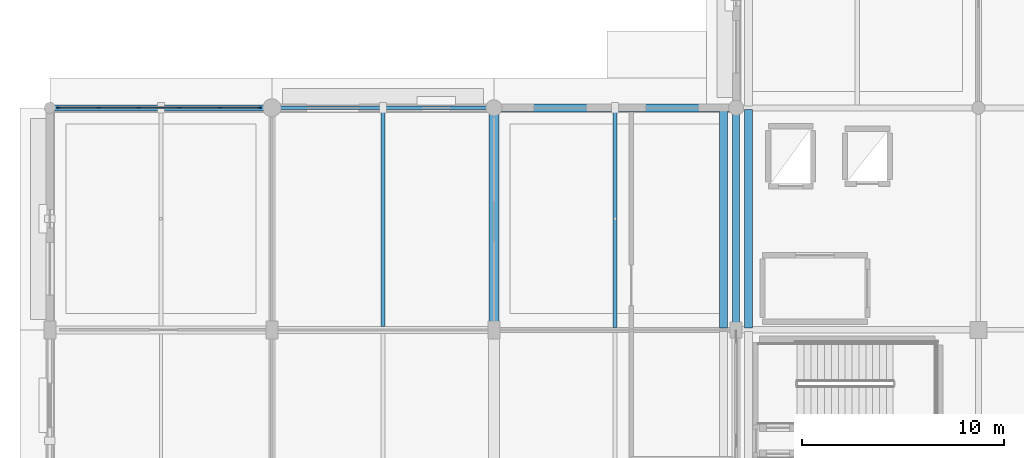
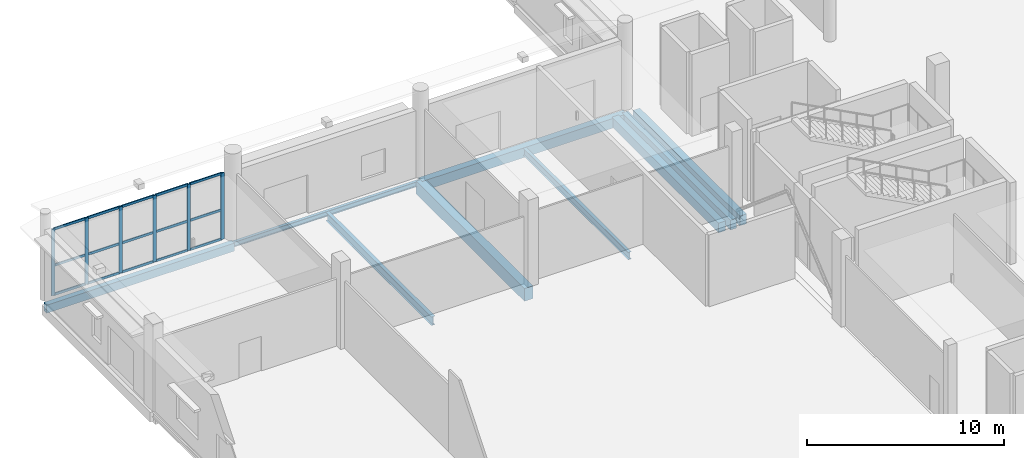
# One storey, part 23 of 120: 21 members, 9 beams, 1 element without a shape of its own.
"""IFC4 building model written with IfcOpenShell, lengths in metres."""

from ifc_helpers import new_model, si_unit, direction, frame, origin, origin_2d, place, context, subcontext, project, spatial, rectangle, hollow_rectangle, i_section, extrude, material, material_profile, profile_set, type_object, element, aggregate, save


model = new_model("IFC4")

# Units and contexts
model_context = context("Model", 3, precision=1e-05, world=origin(), true_north=direction((0.0, 1.0)))
body_context = subcontext(model_context, "Body", "Model", "MODEL_VIEW")
ifc_project = project(units=[si_unit("LENGTHUNIT", "METRE"), si_unit("AREAUNIT", "SQUARE_METRE"), si_unit("VOLUMEUNIT", "CUBIC_METRE"), si_unit("PLANEANGLEUNIT", "RADIAN"), si_unit("MASSUNIT", "GRAM", prefix="KILO")], contexts=[model_context])

# Site, building, storey
site_placement = place(None, origin())
site = spatial("IfcSite", under=ifc_project, at=site_placement, CompositionType="ELEMENT")
building_placement = place(site_placement, origin())
building = spatial("IfcBuilding", under=site, at=building_placement, Name="Luwafu Chhajja Arena", CompositionType="ELEMENT")
storey_placement = place(building_placement, origin())
storey = spatial("IfcBuildingStorey", under=building, at=storey_placement, Name="L00", CompositionType="ELEMENT", Elevation=0.0)

# Beam
ifc_material_1 = material(Name="Concrete C35/45", Category="concrete")
ifc_material_profile_1 = material_profile(ifc_material_1, rectangle(XDim=0.35009765625, YDim=0.60009765625, at=origin_2d()), Name="RC 350x600")
ifc_profile_set_1 = profile_set([ifc_material_profile_1], Name="Concrete C35/45")
beam_type_1 = type_object("IfcBeamType", Name="Arcade Tie Beam RC 350x600", PredefinedType="BEAM", material=ifc_profile_set_1)
beam_1_placement = place(storey_placement, frame((34.0, 88.0, -0.64990234375), z_axis=(0.0, 1.0, 0.0), x_axis=(-1.0, 0.0, 0.0)))
element("IfcBeam", 1, at=beam_1_placement, inside=storey, type_object=beam_type_1, Name="L00 Grid Beam 4/J-K", PredefinedType="BEAM", context=body_context, shape_type="SweptSolid", body=[
    extrude(rectangle(XDim=0.35009765625, YDim=0.60009765625, at=origin_2d()), origin(), (0.0, 0.0, 1.0), 11.0),
])

# Curtain wall, members
ifc_material_2 = material(Name="Anodised bronze aluminium", Category="aluminium")
curtain_wall_type = type_object("IfcCurtainWallType", Name="VIP Club Terrace Curtain Wall", PredefinedType="USERDEFINED", material=ifc_material_2)
curtain_wall_placement = place(storey_placement, origin())
curtain_wall = element("IfcCurtainWall", 2, at=curtain_wall_placement, inside=storey, type_object=curtain_wall_type, Name="L00 Curtain Wall CWG-L00-H00_09", ObjectType="CURTAIN WALL", PredefinedType="USERDEFINED")
ifc_material_profile_2 = material_profile(ifc_material_2, rectangle(XDim=0.06494140625, YDim=0.199951171875, at=origin_2d()), Name="CWM 65x200")
ifc_profile_set_2 = profile_set([ifc_material_profile_2], Name="Anodised bronze aluminium")
member_type_1 = type_object("IfcMemberType", Name="Bronze Curtain Wall Mullion 65x200", PredefinedType="MULLION", material=ifc_profile_set_2)
member_1_placement = place(storey_placement, frame((0.447509765625, 99.0, 0.030029296875), z_axis=(0.0, 0.0, 1.0), x_axis=(0.0, 1.0, 0.0)))
member_1 = element("IfcMember", 3, at=member_1_placement, type_object=member_type_1, Name="CW-10 mullion 1", PredefinedType="MULLION", context=body_context, shape_type="SweptSolid", body=[
    extrude(rectangle(XDim=0.06494140625, YDim=0.199951171875, at=origin_2d()), origin(), (0.0, 0.0, 1.0), 4.119873046875),
])
member_2_placement = place(storey_placement, frame((2.4140625, 99.0, 0.030029296875), z_axis=(0.0, 0.0, 1.0), x_axis=(0.0, 1.0, 0.0)))
member_2 = element("IfcMember", 4, at=member_2_placement, type_object=member_type_1, Name="CW-10 mullion 2", PredefinedType="MULLION", context=body_context, shape_type="SweptSolid", body=[
    extrude(rectangle(XDim=0.06494140625, YDim=0.199951171875, at=origin_2d()), origin(), (0.0, 0.0, 1.0), 4.119873046875),
])
member_3_placement = place(storey_placement, frame((4.4130859375, 99.0, 0.030029296875), z_axis=(0.0, 0.0, 1.0), x_axis=(0.0, 1.0, 0.0)))
member_3 = element("IfcMember", 5, at=member_3_placement, type_object=member_type_1, Name="CW-10 mullion 3", PredefinedType="MULLION", context=body_context, shape_type="SweptSolid", body=[
    extrude(rectangle(XDim=0.06494140625, YDim=0.199951171875, at=origin_2d()), origin(), (0.0, 0.0, 1.0), 4.119873046875),
])
member_4_placement = place(storey_placement, frame((6.412109375, 99.0, 0.030029296875), z_axis=(0.0, 0.0, 1.0), x_axis=(0.0, 1.0, 0.0)))
member_4 = element("IfcMember", 6, at=member_4_placement, type_object=member_type_1, Name="CW-10 mullion 4", PredefinedType="MULLION", context=body_context, shape_type="SweptSolid", body=[
    extrude(rectangle(XDim=0.06494140625, YDim=0.199951171875, at=origin_2d()), origin(), (0.0, 0.0, 1.0), 4.119873046875),
])
member_5_placement = place(storey_placement, frame((8.410888671875, 99.0, 0.030029296875), z_axis=(0.0, 0.0, 1.0), x_axis=(0.0, 1.0, 0.0)))
member_5 = element("IfcMember", 7, at=member_5_placement, type_object=member_type_1, Name="CW-10 mullion 5", PredefinedType="MULLION", context=body_context, shape_type="SweptSolid", body=[
    extrude(rectangle(XDim=0.06494140625, YDim=0.199951171875, at=origin_2d()), origin(), (0.0, 0.0, 1.0), 4.119873046875),
])
member_6_placement = place(storey_placement, frame((10.37744140625, 99.0, 0.030029296875), z_axis=(0.0, 0.0, 1.0), x_axis=(0.0, 1.0, 0.0)))
member_6 = element("IfcMember", 8, at=member_6_placement, type_object=member_type_1, Name="CW-10 mullion 6", PredefinedType="MULLION", context=body_context, shape_type="SweptSolid", body=[
    extrude(rectangle(XDim=0.06494140625, YDim=0.199951171875, at=origin_2d()), origin(), (0.0, 0.0, 1.0), 4.119873046875),
])
ifc_material_profile_3 = material_profile(ifc_material_2, rectangle(XDim=0.06494140625, YDim=0.14990234375, at=origin_2d()), Name="CWT 65x150")
ifc_profile_set_3 = profile_set([ifc_material_profile_3], Name="Anodised bronze aluminium")
member_type_2 = type_object("IfcMemberType", Name="Bronze Curtain Wall Transom 65x150", PredefinedType="USERDEFINED", material=ifc_profile_set_3)
member_7_placement = place(storey_placement, frame((0.47998046875, 99.0, 0.0625), z_axis=(1.0, 0.0, 0.0), x_axis=(0.0, 1.0, 0.0)))
member_7 = element("IfcMember", 9, at=member_7_placement, type_object=member_type_2, Name="CW-10 transom 1.1", ObjectType="TRANSOM", PredefinedType="USERDEFINED", context=body_context, shape_type="SweptSolid", body=[
    extrude(rectangle(XDim=0.06494140625, YDim=0.14990234375, at=origin_2d()), origin(), (0.0, 0.0, 1.0), 1.901611328125),
])
member_8_placement = place(storey_placement, frame((0.47998046875, 99.0, 1.867431640625), z_axis=(1.0, 0.0, 0.0), x_axis=(0.0, 1.0, 0.0)))
member_8 = element("IfcMember", 10, at=member_8_placement, type_object=member_type_2, Name="CW-10 transom 1.2", ObjectType="TRANSOM", PredefinedType="USERDEFINED", context=body_context, shape_type="SweptSolid", body=[
    extrude(rectangle(XDim=0.06494140625, YDim=0.14990234375, at=origin_2d()), origin(), (0.0, 0.0, 1.0), 1.901611328125),
])
member_9_placement = place(storey_placement, frame((0.47998046875, 99.0, 4.117431640625), z_axis=(1.0, 0.0, 0.0), x_axis=(0.0, 1.0, 0.0)))
member_9 = element("IfcMember", 11, at=member_9_placement, type_object=member_type_2, Name="CW-10 transom 1.3", ObjectType="TRANSOM", PredefinedType="USERDEFINED", context=body_context, shape_type="SweptSolid", body=[
    extrude(rectangle(XDim=0.06494140625, YDim=0.14990234375, at=origin_2d()), origin(), (0.0, 0.0, 1.0), 1.901611328125),
])
member_10_placement = place(storey_placement, frame((2.446533203125, 99.0, 0.0625), z_axis=(1.0, 0.0, 0.0), x_axis=(0.0, 1.0, 0.0)))
member_10 = element("IfcMember", 12, at=member_10_placement, type_object=member_type_2, Name="CW-10 transom 2.1", ObjectType="TRANSOM", PredefinedType="USERDEFINED", context=body_context, shape_type="SweptSolid", body=[
    extrude(rectangle(XDim=0.06494140625, YDim=0.14990234375, at=origin_2d()), origin(), (0.0, 0.0, 1.0), 1.93408203125),
])
member_11_placement = place(storey_placement, frame((2.446533203125, 99.0, 1.867431640625), z_axis=(1.0, 0.0, 0.0), x_axis=(0.0, 1.0, 0.0)))
member_11 = element("IfcMember", 13, at=member_11_placement, type_object=member_type_2, Name="CW-10 transom 2.2", ObjectType="TRANSOM", PredefinedType="USERDEFINED", context=body_context, shape_type="SweptSolid", body=[
    extrude(rectangle(XDim=0.06494140625, YDim=0.14990234375, at=origin_2d()), origin(), (0.0, 0.0, 1.0), 1.93408203125),
])
member_12_placement = place(storey_placement, frame((2.446533203125, 99.0, 4.117431640625), z_axis=(1.0, 0.0, 0.0), x_axis=(0.0, 1.0, 0.0)))
member_12 = element("IfcMember", 14, at=member_12_placement, type_object=member_type_2, Name="CW-10 transom 2.3", ObjectType="TRANSOM", PredefinedType="USERDEFINED", context=body_context, shape_type="SweptSolid", body=[
    extrude(rectangle(XDim=0.06494140625, YDim=0.14990234375, at=origin_2d()), origin(), (0.0, 0.0, 1.0), 1.93408203125),
])
member_13_placement = place(storey_placement, frame((4.445556640625, 99.0, 0.0625), z_axis=(1.0, 0.0, 0.0), x_axis=(0.0, 1.0, 0.0)))
member_13 = element("IfcMember", 15, at=member_13_placement, type_object=member_type_2, Name="CW-10 transom 3.1", ObjectType="TRANSOM", PredefinedType="USERDEFINED", context=body_context, shape_type="SweptSolid", body=[
    extrude(rectangle(XDim=0.06494140625, YDim=0.14990234375, at=origin_2d()), origin(), (0.0, 0.0, 1.0), 1.933837890625),
])
member_14_placement = place(storey_placement, frame((4.445556640625, 99.0, 1.867431640625), z_axis=(1.0, 0.0, 0.0), x_axis=(0.0, 1.0, 0.0)))
member_14 = element("IfcMember", 16, at=member_14_placement, type_object=member_type_2, Name="CW-10 transom 3.2", ObjectType="TRANSOM", PredefinedType="USERDEFINED", context=body_context, shape_type="SweptSolid", body=[
    extrude(rectangle(XDim=0.06494140625, YDim=0.14990234375, at=origin_2d()), origin(), (0.0, 0.0, 1.0), 1.933837890625),
])
member_15_placement = place(storey_placement, frame((4.445556640625, 99.0, 4.117431640625), z_axis=(1.0, 0.0, 0.0), x_axis=(0.0, 1.0, 0.0)))
member_15 = element("IfcMember", 17, at=member_15_placement, type_object=member_type_2, Name="CW-10 transom 3.3", ObjectType="TRANSOM", PredefinedType="USERDEFINED", context=body_context, shape_type="SweptSolid", body=[
    extrude(rectangle(XDim=0.06494140625, YDim=0.14990234375, at=origin_2d()), origin(), (0.0, 0.0, 1.0), 1.933837890625),
])
member_16_placement = place(storey_placement, frame((6.444580078125, 99.0, 0.0625), z_axis=(1.0, 0.0, 0.0), x_axis=(0.0, 1.0, 0.0)))
member_16 = element("IfcMember", 18, at=member_16_placement, type_object=member_type_2, Name="CW-10 transom 4.1", ObjectType="TRANSOM", PredefinedType="USERDEFINED", context=body_context, shape_type="SweptSolid", body=[
    extrude(rectangle(XDim=0.06494140625, YDim=0.14990234375, at=origin_2d()), origin(), (0.0, 0.0, 1.0), 1.933837890625),
])
member_17_placement = place(storey_placement, frame((6.444580078125, 99.0, 1.867431640625), z_axis=(1.0, 0.0, 0.0), x_axis=(0.0, 1.0, 0.0)))
member_17 = element("IfcMember", 19, at=member_17_placement, type_object=member_type_2, Name="CW-10 transom 4.2", ObjectType="TRANSOM", PredefinedType="USERDEFINED", context=body_context, shape_type="SweptSolid", body=[
    extrude(rectangle(XDim=0.06494140625, YDim=0.14990234375, at=origin_2d()), origin(), (0.0, 0.0, 1.0), 1.933837890625),
])
member_18_placement = place(storey_placement, frame((6.444580078125, 99.0, 4.117431640625), z_axis=(1.0, 0.0, 0.0), x_axis=(0.0, 1.0, 0.0)))
member_18 = element("IfcMember", 20, at=member_18_placement, type_object=member_type_2, Name="CW-10 transom 4.3", ObjectType="TRANSOM", PredefinedType="USERDEFINED", context=body_context, shape_type="SweptSolid", body=[
    extrude(rectangle(XDim=0.06494140625, YDim=0.14990234375, at=origin_2d()), origin(), (0.0, 0.0, 1.0), 1.933837890625),
])
member_19_placement = place(storey_placement, frame((8.443603515625, 99.0, 0.0625), z_axis=(1.0, 0.0, 0.0), x_axis=(0.0, 1.0, 0.0)))
member_19 = element("IfcMember", 21, at=member_19_placement, type_object=member_type_2, Name="CW-10 transom 5.1", ObjectType="TRANSOM", PredefinedType="USERDEFINED", context=body_context, shape_type="SweptSolid", body=[
    extrude(rectangle(XDim=0.06494140625, YDim=0.14990234375, at=origin_2d()), origin(), (0.0, 0.0, 1.0), 1.9013671875),
])
member_20_placement = place(storey_placement, frame((8.443603515625, 99.0, 1.867431640625), z_axis=(1.0, 0.0, 0.0), x_axis=(0.0, 1.0, 0.0)))
member_20 = element("IfcMember", 22, at=member_20_placement, type_object=member_type_2, Name="CW-10 transom 5.2", ObjectType="TRANSOM", PredefinedType="USERDEFINED", context=body_context, shape_type="SweptSolid", body=[
    extrude(rectangle(XDim=0.06494140625, YDim=0.14990234375, at=origin_2d()), origin(), (0.0, 0.0, 1.0), 1.9013671875),
])
member_21_placement = place(storey_placement, frame((8.443603515625, 99.0, 4.117431640625), z_axis=(1.0, 0.0, 0.0), x_axis=(0.0, 1.0, 0.0)))
member_21 = element("IfcMember", 23, at=member_21_placement, type_object=member_type_2, Name="CW-10 transom 5.3", ObjectType="TRANSOM", PredefinedType="USERDEFINED", context=body_context, shape_type="SweptSolid", body=[
    extrude(rectangle(XDim=0.06494140625, YDim=0.14990234375, at=origin_2d()), origin(), (0.0, 0.0, 1.0), 1.9013671875),
])
aggregate(curtain_wall, [member_1, member_2, member_3, member_4, member_5, member_6, member_7, member_8, member_9, member_10, member_11, member_12, member_13, member_14, member_15, member_16, member_17, member_18, member_19, member_20, member_21])

# Beams
ifc_material_3 = material(Name="Steel S355", Category="steel")
ifc_material_profile_4 = material_profile(ifc_material_3, i_section(OverallWidth=0.165771484375, OverallDepth=0.306640625, WebThickness=0.006591796875, FlangeThickness=0.01171875, at=origin_2d()), Name="UB 305x165x46")
ifc_profile_set_4 = profile_set([ifc_material_profile_4], Name="Steel S355")
beam_type_2 = type_object("IfcBeamType", Name="Concourse Edge Spandrel Beam UB 305x165x46", PredefinedType="SPANDREL", material=ifc_profile_set_4)
beam_2_placement = place(storey_placement, frame((11.0, 99.0, -0.50341796875), z_axis=(1.0, 0.0, 0.0), x_axis=(0.0, 1.0, 0.0)))
element("IfcBeam", 24, at=beam_2_placement, inside=storey, type_object=beam_type_2, Name="L00 Grid Beam 2-3/K", PredefinedType="SPANDREL", context=body_context, shape_type="SweptSolid", body=[
    extrude(i_section(OverallWidth=0.165771484375, OverallDepth=0.306640625, WebThickness=0.006591796875, FlangeThickness=0.01171875, at=origin_2d()), origin(), (0.0, 0.0, 1.0), 11.0),
])
ifc_material_profile_5 = material_profile(ifc_material_3, i_section(OverallWidth=0.19140625, OverallDepth=0.4599609375, WebThickness=0.010009765625, FlangeThickness=0.01611328125, at=origin_2d()), Name="UB 457x191x82")
ifc_profile_set_5 = profile_set([ifc_material_profile_5], Name="Steel S355")
beam_type_3 = type_object("IfcBeamType", Name="Floor Joist UB 457x191x82", PredefinedType="JOIST", material=ifc_profile_set_5)
beam_3_placement = place(storey_placement, frame((28.0, 88.126953125, -0.580078125), z_axis=(0.0, 1.0, 0.0), x_axis=(-1.0, 0.0, 0.0)))
element("IfcBeam", 25, at=beam_3_placement, inside=storey, type_object=beam_type_3, Name="L00 Secondary Joist 3-4/J", PredefinedType="JOIST", context=body_context, shape_type="SweptSolid", body=[
    extrude(i_section(OverallWidth=0.19140625, OverallDepth=0.4599609375, WebThickness=0.010009765625, FlangeThickness=0.01611328125, at=origin_2d()), origin(), (0.0, 0.0, 1.0), 10.673095703125),
])
ifc_material_profile_6 = material_profile(ifc_material_3, i_section(OverallWidth=0.209228515625, OverallDepth=0.533203125, WebThickness=0.010009765625, FlangeThickness=0.015625, at=origin_2d()), Name="UB 533x210x92")
ifc_profile_set_6 = profile_set([ifc_material_profile_6], Name="Steel S355")
beam_type_4 = type_object("IfcBeamType", Name="Floor Joist UB 533x210x92", PredefinedType="JOIST", material=ifc_profile_set_6)
beam_4_placement = place(storey_placement, frame((16.5, 88.175048828125, -0.616455078125), z_axis=(0.0, 1.0, 0.0), x_axis=(-1.0, 0.0, 0.0)))
element("IfcBeam", 26, at=beam_4_placement, inside=storey, type_object=beam_type_4, Name="L00 Secondary Joist 2-3/J", PredefinedType="JOIST", context=body_context, shape_type="SweptSolid", body=[
    extrude(i_section(OverallWidth=0.209228515625, OverallDepth=0.533203125, WebThickness=0.010009765625, FlangeThickness=0.015625, at=origin_2d()), origin(), (0.0, 0.0, 1.0), 10.7421875),
])
ifc_material_profile_7 = material_profile(ifc_material_1, rectangle(XDim=0.5, YDim=0.800048828125, at=origin_2d()), Name="RC 500x800")
ifc_profile_set_7 = profile_set([ifc_material_profile_7], Name="Concrete C35/45")
beam_type_5 = type_object("IfcBeamType", Name="Hospitality Primary Beam RC 500x800", PredefinedType="BEAM", material=ifc_profile_set_7)
beam_5_placement = place(storey_placement, frame((22.0, 88.0, -0.75), z_axis=(0.0, 1.0, 0.0), x_axis=(-1.0, 0.0, 0.0)))
element("IfcBeam", 27, at=beam_5_placement, inside=storey, type_object=beam_type_5, Name="L00 Grid Beam 3/J-K", PredefinedType="BEAM", context=body_context, shape_type="SweptSolid", body=[
    extrude(rectangle(XDim=0.5, YDim=0.800048828125, at=origin_2d()), origin(), (0.0, 0.0, 1.0), 11.0),
])
ifc_material_profile_8 = material_profile(ifc_material_3, hollow_rectangle(XDim=0.300048828125, YDim=0.5, WallThickness=0.02001953125, at=origin_2d()), Name="RHS 500x300x20")
ifc_profile_set_8 = profile_set([ifc_material_profile_8], Name="Steel S355")
beam_type_6 = type_object("IfcBeamType", Name="Pleated Drum Spandrel Beam RHS 500x300", PredefinedType="SPANDREL", material=ifc_profile_set_8)
beam_6_placement = place(storey_placement, frame((0.0, 99.0, -0.60009765625), z_axis=(1.0, 0.0, 0.0), x_axis=(0.0, 1.0, 0.0)))
element("IfcBeam", 28, at=beam_6_placement, inside=storey, type_object=beam_type_6, Name="L00 Grid Beam 1-2/K", PredefinedType="SPANDREL", context=body_context, shape_type="SweptSolid", body=[
    extrude(hollow_rectangle(XDim=0.300048828125, YDim=0.5, WallThickness=0.02001953125, at=origin_2d()), origin(), (0.0, 0.0, 1.0), 11.0),
])
ifc_material_profile_9 = material_profile(ifc_material_1, rectangle(XDim=0.39990234375, YDim=0.60009765625, at=origin_2d()), Name="RC 400x600")
ifc_profile_set_9 = profile_set([ifc_material_profile_9], Name="Concrete C35/45")
beam_type_7 = type_object("IfcBeamType", Name="Podium Perimeter Spandrel RC 400x600", PredefinedType="SPANDREL", material=ifc_profile_set_9)
beam_7_placement = place(storey_placement, frame((22.0, 99.0, -0.64990234375), z_axis=(1.0, 0.0, 0.0), x_axis=(0.0, 1.0, 0.0)))
element("IfcBeam", 29, at=beam_7_placement, inside=storey, type_object=beam_type_7, Name="L00 Grid Beam 3-4/K", PredefinedType="SPANDREL", context=body_context, shape_type="SweptSolid", body=[
    extrude(rectangle(XDim=0.39990234375, YDim=0.60009765625, at=origin_2d()), origin(), (0.0, 0.0, 1.0), 12.0),
])
for number, where, z_axis, x_axis, name in (
    (30, (33.3798828125, 88.080078125, -0.64990234375), (0.0, 1.0, 0.0), (-1.0, 0.0, 0.0), "L00 Movement Joint MJ1W Seat Girder 08"),
    (31, (34.6201171875, 88.080078125, -0.64990234375), (0.0, 1.0, 0.0), (-1.0, 0.0, 0.0), "L00 Movement Joint MJ1E Seat Girder 08"),
):
    element("IfcBeam", number, at=place(storey_placement, frame(where, z_axis=z_axis, x_axis=x_axis)), inside=storey, type_object=beam_type_7, Name=name, PredefinedType="SPANDREL", context=body_context, shape_type="SweptSolid", body=[
        extrude(rectangle(XDim=0.39990234375, YDim=0.60009765625, at=origin_2d()), origin(), (0.0, 0.0, 1.0), 10.83984375),
    ])

save(model, "model.ifc")
